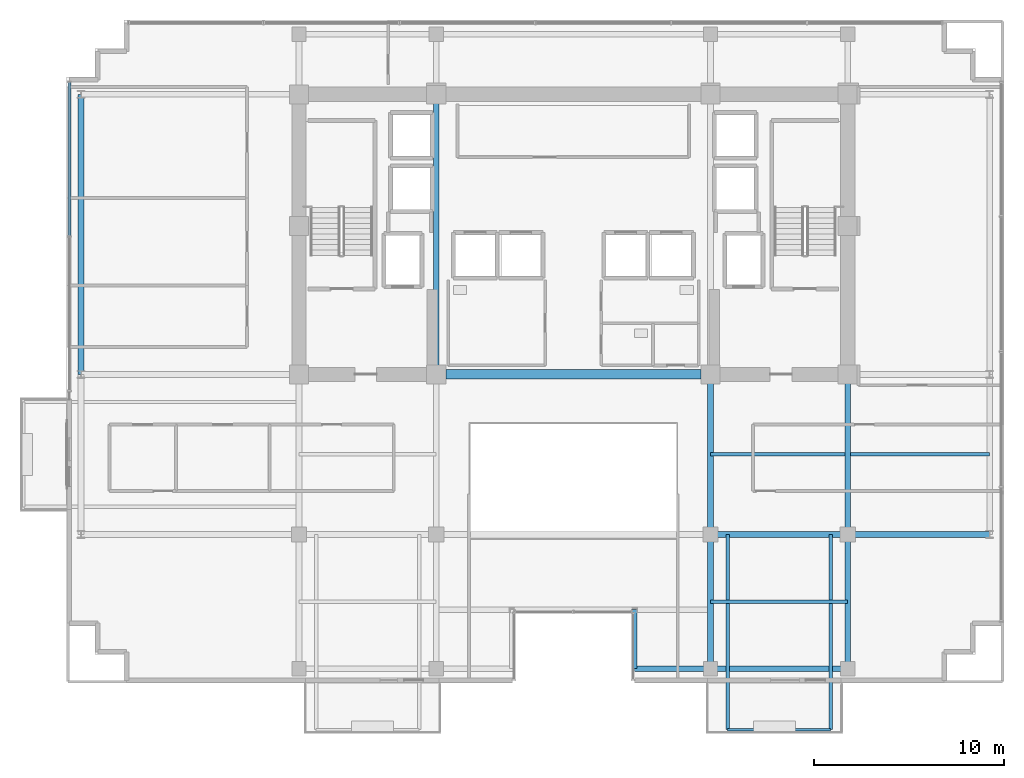
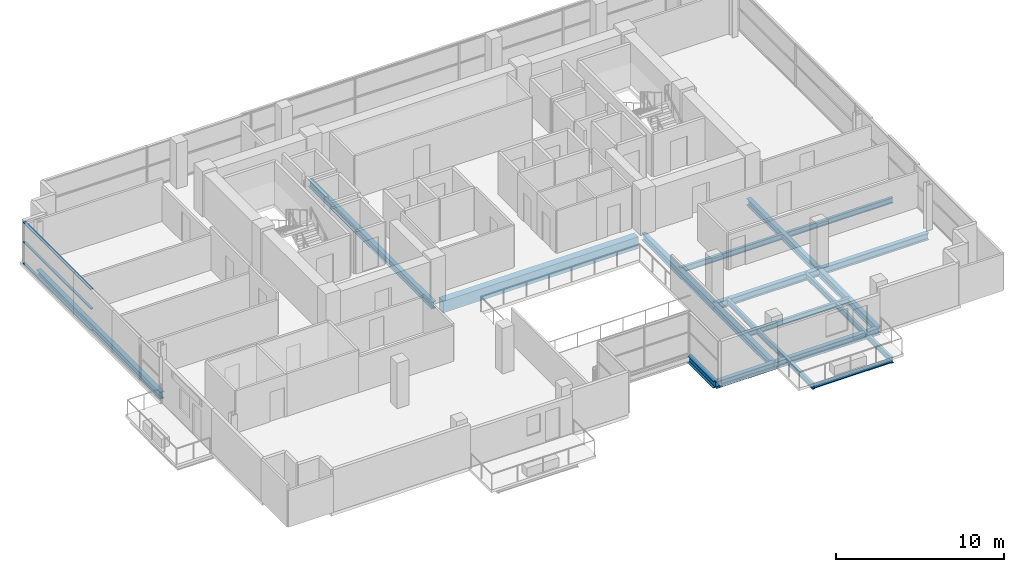
# One storey, part 5 of 21: 18 beams, 3 members, 1 element without a shape of its own.
"""IFC4 building model written with IfcOpenShell, lengths in metres."""

from ifc_helpers import new_model, si_unit, direction, frame, origin, origin_2d, place, context, subcontext, project, spatial, rectangle, hollow_rectangle, i_section, extrude, source, transform, mapped, material, layer, layer_set, material_profile, profile_set, type_object, element, aggregate, save


model = new_model("IFC4")

# Units and contexts
model_context = context("Model", 3, precision=1e-05, world=origin(), true_north=direction((0.0, 1.0)))
body_context = subcontext(model_context, "Body", "Model", "MODEL_VIEW")
ifc_project = project(units=[si_unit("LENGTHUNIT", "METRE"), si_unit("AREAUNIT", "SQUARE_METRE"), si_unit("VOLUMEUNIT", "CUBIC_METRE"), si_unit("PLANEANGLEUNIT", "RADIAN"), si_unit("MASSUNIT", "GRAM", prefix="KILO")], contexts=[model_context])

# Site, building, storey
site_placement = place(None, origin())
site = spatial("IfcSite", under=ifc_project, at=site_placement, CompositionType="ELEMENT")
building_placement = place(site_placement, origin())
building = spatial("IfcBuilding", under=site, at=building_placement, Name="Zarnakvel Exchange Tower", CompositionType="ELEMENT")
storey_placement = place(building_placement, frame((0.0, 0.0, 166.0)))
storey = spatial("IfcBuildingStorey", under=building, at=storey_placement, Name="L46", CompositionType="ELEMENT", Elevation=166.0)

# Beams
ifc_material_1 = material(Name="Steel S355", Category="steel")
ifc_material_profile_1 = material_profile(ifc_material_1, i_section(OverallWidth=0.179931640625, OverallDepth=0.39990234375, WebThickness=0.008544921875, FlangeThickness=0.013427734375, FilletRadius=0.02099609375, at=origin_2d()))
ifc_profile_set_1 = profile_set([ifc_material_profile_1], Name="Steel S355")
beam_type_1 = type_object("IfcBeamType", Name="B-06", PredefinedType="JOIST", material=ifc_profile_set_1)
beam_1_placement = place(storey_placement, frame((7.199951171875, -13.125, -0.425048828125), z_axis=(1.0, 0.0, 0.0), x_axis=(0.0, 1.0, 0.0)))
element("IfcBeam", 1, at=beam_1_placement, inside=storey, type_object=beam_type_1, Name="L46 Composite Floor Secondary Joist", PredefinedType="JOIST", context=body_context, shape_type="SweptSolid", body=[
    extrude(i_section(OverallWidth=0.179931640625, OverallDepth=0.39990234375, WebThickness=0.008544921875, FlangeThickness=0.013427734375, FilletRadius=0.02099609375, at=origin_2d()), origin(), (0.0, 0.0, 1.0), 7.199951171875),
])
beam_2_placement = place(storey_placement, frame((7.199951171875, -5.39990234375, -0.425048828125), z_axis=(1.0, 0.0, 0.0), x_axis=(0.0, 1.0, 0.0)))
element("IfcBeam", 2, at=beam_2_placement, inside=storey, type_object=beam_type_1, Name="L46 Composite Floor Secondary Joist", PredefinedType="JOIST", context=body_context, shape_type="SweptSolid", body=[
    extrude(i_section(OverallWidth=0.179931640625, OverallDepth=0.39990234375, WebThickness=0.008544921875, FlangeThickness=0.013427734375, FilletRadius=0.02099609375, at=origin_2d()), origin(), (0.0, 0.0, 1.0), 7.050048828125),
])
beam_3_placement = place(storey_placement, frame((14.550048828125, -5.39990234375, -0.425048828125), z_axis=(1.0, 0.0, 0.0), x_axis=(0.0, 1.0, 0.0)))
element("IfcBeam", 3, at=beam_3_placement, inside=storey, type_object=beam_type_1, Name="L46 Composite Floor Secondary Joist", PredefinedType="JOIST", context=body_context, shape_type="SweptSolid", body=[
    extrude(i_section(OverallWidth=0.179931640625, OverallDepth=0.39990234375, WebThickness=0.008544921875, FlangeThickness=0.013427734375, FilletRadius=0.02099609375, at=origin_2d()), origin(), (0.0, 0.0, 1.0), 7.300048828125),
])
for number, where, z_axis, x_axis, name in (
    (4, (8.10009765625, -9.60009765625, -0.425048828125), (0.0, -1.0, 0.0), (1.0, 0.0, 0.0), "L46 Continuous Back-Spanned Balcony Beam W"),
    (5, (13.5, -9.60009765625, -0.425048828125), (0.0, -1.0, 0.0), (1.0, 0.0, 0.0), "L46 Continuous Back-Spanned Balcony Beam E"),
):
    element("IfcBeam", number, at=place(storey_placement, frame(where, z_axis=z_axis, x_axis=x_axis)), inside=storey, type_object=beam_type_1, Name=name, PredefinedType="JOIST", context=body_context, shape_type="SweptSolid", body=[
        extrude(i_section(OverallWidth=0.179931640625, OverallDepth=0.39990234375, WebThickness=0.008544921875, FlangeThickness=0.013427734375, FilletRadius=0.02099609375, at=origin_2d()), origin(), (0.0, 0.0, 1.0), 10.25),
    ])
ifc_material_profile_2 = material_profile(ifc_material_1, i_section(OverallWidth=0.14990234375, OverallDepth=0.300048828125, WebThickness=0.007080078125, FlangeThickness=0.0107421875, FilletRadius=0.014892578125, at=origin_2d()))
ifc_profile_set_2 = profile_set([ifc_material_profile_2], Name="Steel S355")
beam_type_2 = type_object("IfcBeamType", Name="B-08", PredefinedType="JOIST", material=ifc_profile_set_2)
beam_4_placement = place(storey_placement, frame((8.10009765625, -19.85009765625, -0.375), z_axis=(1.0, 0.0, 0.0), x_axis=(0.0, 1.0, 0.0)))
element("IfcBeam", 6, at=beam_4_placement, inside=storey, type_object=beam_type_2, Name="L46 Balcony Edge Beam", PredefinedType="JOIST", context=body_context, shape_type="SweptSolid", body=[
    extrude(i_section(OverallWidth=0.14990234375, OverallDepth=0.300048828125, WebThickness=0.007080078125, FlangeThickness=0.0107421875, FilletRadius=0.014892578125, at=origin_2d()), origin(), (0.0, 0.0, 1.0), 5.39990234375),
])
ifc_material_2 = material(Name="Concrete C60/75", Category="concrete")
ifc_material_profile_3 = material_profile(ifc_material_2, rectangle(XDim=0.5, YDim=0.85009765625, at=origin_2d()))
ifc_profile_set_3 = profile_set([ifc_material_profile_3], Name="Concrete C60/75")
beam_type_3 = type_object("IfcBeamType", Name="CB-02", PredefinedType="LINTEL", material=ifc_profile_set_3)
beam_5_placement = place(storey_placement, frame((-6.699951171875, -1.199951171875, -0.64990234375), z_axis=(1.0, 0.0, 0.0), x_axis=(0.0, 1.0, 0.0)))
element("IfcBeam", 7, at=beam_5_placement, inside=storey, type_object=beam_type_3, Name="L46 Rear Core South Coupling Beam (CB-02)", PredefinedType="LINTEL", context=body_context, shape_type="SweptSolid", body=[
    extrude(rectangle(XDim=0.5, YDim=0.85009765625, at=origin_2d()), origin(), (0.0, 0.0, 1.0), 13.39990234375),
])
ifc_material_profile_4 = material_profile(ifc_material_1, i_section(OverallWidth=0.300048828125, OverallDepth=0.5, WebThickness=0.014404296875, FlangeThickness=0.028076171875, FilletRadius=0.027099609375, at=origin_2d()))
ifc_profile_set_4 = profile_set([ifc_material_profile_4], Name="Steel S355")
beam_type_4 = type_object("IfcBeamType", Name="G-06", PredefinedType="BEAM", material=ifc_profile_set_4)
beam_6_placement = place(storey_placement, frame((3.199951171875, -16.64990234375, -0.47509765625), z_axis=(0.0, 1.0, 0.0), x_axis=(-1.0, 0.0, 0.0)))
element("IfcBeam", 8, at=beam_6_placement, inside=storey, type_object=beam_type_4, Name="L46 South Slot East Cheek Beam", PredefinedType="BEAM", context=body_context, shape_type="SweptSolid", body=[
    extrude(i_section(OverallWidth=0.300048828125, OverallDepth=0.5, WebThickness=0.014404296875, FlangeThickness=0.028076171875, FilletRadius=0.027099609375, at=origin_2d()), origin(), (0.0, 0.0, 1.0), 3.099853515625),
])
beam_7_placement = place(storey_placement, frame((7.199951171875, -9.60009765625, -0.47509765625), z_axis=(1.0, 0.0, 0.0), x_axis=(0.0, 1.0, 0.0)))
element("IfcBeam", 9, at=beam_7_placement, inside=storey, type_object=beam_type_4, Name="L46 Tower E-W Frame Beam", PredefinedType="BEAM", context=body_context, shape_type="SweptSolid", body=[
    extrude(i_section(OverallWidth=0.300048828125, OverallDepth=0.5, WebThickness=0.014404296875, FlangeThickness=0.028076171875, FilletRadius=0.027099609375, at=origin_2d()), origin(), (0.0, 0.0, 1.0), 7.199951171875),
])
beam_8_placement = place(storey_placement, frame((14.39990234375, -9.60009765625, -0.47509765625), z_axis=(1.0, 0.0, 0.0), x_axis=(0.0, 1.0, 0.0)))
element("IfcBeam", 10, at=beam_8_placement, inside=storey, type_object=beam_type_4, Name="L46 Tower E-W Frame Beam", PredefinedType="BEAM", context=body_context, shape_type="SweptSolid", body=[
    extrude(i_section(OverallWidth=0.300048828125, OverallDepth=0.5, WebThickness=0.014404296875, FlangeThickness=0.028076171875, FilletRadius=0.027099609375, at=origin_2d()), origin(), (0.0, 0.0, 1.0), 7.4501953125),
])
beam_9_placement = place(storey_placement, frame((-7.199951171875, -1.199951171875, -0.47509765625), z_axis=(0.0, 1.0, 0.0), x_axis=(-1.0, 0.0, 0.0)))
element("IfcBeam", 11, at=beam_9_placement, inside=storey, type_object=beam_type_4, Name="L46 Tower N-S Frame Beam", PredefinedType="BEAM", context=body_context, shape_type="SweptSolid", body=[
    extrude(i_section(OverallWidth=0.300048828125, OverallDepth=0.5, WebThickness=0.014404296875, FlangeThickness=0.028076171875, FilletRadius=0.027099609375, at=origin_2d()), origin(), (0.0, 0.0, 1.0), 14.699951171875),
])
beam_10_placement = place(storey_placement, frame((7.199951171875, -16.64990234375, -0.47509765625), z_axis=(0.0, 1.0, 0.0), x_axis=(-1.0, 0.0, 0.0)))
element("IfcBeam", 12, at=beam_10_placement, inside=storey, type_object=beam_type_4, Name="L46 Tower N-S Frame Beam", PredefinedType="BEAM", context=body_context, shape_type="SweptSolid", body=[
    extrude(i_section(OverallWidth=0.300048828125, OverallDepth=0.5, WebThickness=0.014404296875, FlangeThickness=0.028076171875, FilletRadius=0.027099609375, at=origin_2d()), origin(), (0.0, 0.0, 1.0), 7.0498046875),
])
beam_11_placement = place(storey_placement, frame((7.199951171875, -9.60009765625, -0.47509765625), z_axis=(0.0, 1.0, 0.0), x_axis=(-1.0, 0.0, 0.0)))
element("IfcBeam", 13, at=beam_11_placement, inside=storey, type_object=beam_type_4, Name="L46 Tower N-S Frame Beam", PredefinedType="BEAM", context=body_context, shape_type="SweptSolid", body=[
    extrude(i_section(OverallWidth=0.300048828125, OverallDepth=0.5, WebThickness=0.014404296875, FlangeThickness=0.028076171875, FilletRadius=0.027099609375, at=origin_2d()), origin(), (0.0, 0.0, 1.0), 8.400146484375),
])
beam_12_placement = place(storey_placement, frame((14.39990234375, -16.64990234375, -0.47509765625), z_axis=(0.0, 1.0, 0.0), x_axis=(-1.0, 0.0, 0.0)))
element("IfcBeam", 14, at=beam_12_placement, inside=storey, type_object=beam_type_4, Name="L46 Tower N-S Frame Beam", PredefinedType="BEAM", context=body_context, shape_type="SweptSolid", body=[
    extrude(i_section(OverallWidth=0.300048828125, OverallDepth=0.5, WebThickness=0.014404296875, FlangeThickness=0.028076171875, FilletRadius=0.027099609375, at=origin_2d()), origin(), (0.0, 0.0, 1.0), 7.0498046875),
])
beam_13_placement = place(storey_placement, frame((14.39990234375, -9.60009765625, -0.47509765625), z_axis=(0.0, 1.0, 0.0), x_axis=(-1.0, 0.0, 0.0)))
element("IfcBeam", 15, at=beam_13_placement, inside=storey, type_object=beam_type_4, Name="L46 Tower N-S Frame Beam", PredefinedType="BEAM", context=body_context, shape_type="SweptSolid", body=[
    extrude(i_section(OverallWidth=0.300048828125, OverallDepth=0.5, WebThickness=0.014404296875, FlangeThickness=0.028076171875, FilletRadius=0.027099609375, at=origin_2d()), origin(), (0.0, 0.0, 1.0), 8.400146484375),
])
ifc_material_profile_5 = material_profile(ifc_material_1, i_section(OverallWidth=0.300048828125, OverallDepth=0.5, WebThickness=0.014404296875, FlangeThickness=0.028076171875, FilletRadius=0.027099609375, at=origin_2d()))
ifc_profile_set_5 = profile_set([ifc_material_profile_5], Name="Steel S355")
beam_type_5 = type_object("IfcBeamType", Name="SP-02", PredefinedType="SPANDREL", material=ifc_profile_set_5)
beam_14_placement = place(storey_placement, frame((3.199951171875, -16.64990234375, -0.47509765625), z_axis=(1.0, 0.0, 0.0), x_axis=(0.0, 1.0, 0.0)))
element("IfcBeam", 16, at=beam_14_placement, inside=storey, type_object=beam_type_5, Name="L46 South Slot East Jamb Spandrel", PredefinedType="SPANDREL", context=body_context, shape_type="SweptSolid", body=[
    extrude(i_section(OverallWidth=0.300048828125, OverallDepth=0.5, WebThickness=0.014404296875, FlangeThickness=0.028076171875, FilletRadius=0.027099609375, at=origin_2d()), origin(), (0.0, 0.0, 1.0), 4.0),
])
beam_15_placement = place(storey_placement, frame((7.199951171875, -16.64990234375, -0.47509765625), z_axis=(1.0, 0.0, 0.0), x_axis=(0.0, 1.0, 0.0)))
element("IfcBeam", 17, at=beam_15_placement, inside=storey, type_object=beam_type_5, Name="L46 Tower E-W Frame Beam", PredefinedType="SPANDREL", context=body_context, shape_type="SweptSolid", body=[
    extrude(i_section(OverallWidth=0.300048828125, OverallDepth=0.5, WebThickness=0.014404296875, FlangeThickness=0.028076171875, FilletRadius=0.027099609375, at=origin_2d()), origin(), (0.0, 0.0, 1.0), 7.199951171875),
])
beam_16_placement = place(storey_placement, frame((-25.85009765625, -1.199951171875, -0.47509765625), z_axis=(0.0, 1.0, 0.0), x_axis=(-1.0, 0.0, 0.0)))
element("IfcBeam", 18, at=beam_16_placement, inside=storey, type_object=beam_type_5, Name="L46 Tower N-S Frame Beam", PredefinedType="SPANDREL", context=body_context, shape_type="SweptSolid", body=[
    extrude(i_section(OverallWidth=0.300048828125, OverallDepth=0.5, WebThickness=0.014404296875, FlangeThickness=0.028076171875, FilletRadius=0.027099609375, at=origin_2d()), origin(), (0.0, 0.0, 1.0), 14.699951171875),
])

# Curtain wall, members
ifc_material_3 = material(Name="Architectural Bronze Anodised Aluminium", Category="aluminium")
ifc_layer = layer(ifc_material_3, 0.199951171875)
ifc_layer_set = layer_set([ifc_layer], Name="Architectural Bronze Anodised Aluminium")
curtain_wall_type = type_object("IfcCurtainWallType", Name="CW-04", PredefinedType="NOTDEFINED", material=ifc_layer_set)
curtain_wall_placement = place(storey_placement, origin())
curtain_wall = element("IfcCurtainWall", 19, at=curtain_wall_placement, inside=storey, type_object=curtain_wall_type, Name="L46 Curtain Wall CW-L46-WN (CW-04)", PredefinedType="NOTDEFINED")
ifc_material_profile_6 = material_profile(ifc_material_3, hollow_rectangle(XDim=0.159912109375, YDim=0.074951171875, WallThickness=0.00390625, at=origin_2d()))
ifc_profile_set_6 = profile_set([ifc_material_profile_6], Name="Architectural Bronze Anodised Aluminium")
member_type = type_object("IfcMemberType", Name="CWT-04", PredefinedType="USERDEFINED", material=ifc_profile_set_6)
shared_shape = source(origin(), body_context, "Body", "SweptSolid", [
    extrude(hollow_rectangle(XDim=0.159912109375, YDim=0.074951171875, WallThickness=0.00390625, at=origin_2d()), origin(), (0.0, 0.0, 1.0), 8.03759765625),
])
member_1_placement = place(storey_placement, frame((-26.4599609375, 6.08740234375, 0.03759765625), z_axis=(0.0, 1.0, 0.0), x_axis=(-1.0, 0.0, 0.0)))
member_1 = element("IfcMember", 20, at=member_1_placement, type_object=member_type, Name="CW-04 transom 2.1", ObjectType="TRANSOM", PredefinedType="USERDEFINED", context=body_context, shape_type="MappedRepresentation", body=[
    mapped(shared_shape, transform((0.0, 0.0, 0.0), x_axis=(1.0, 0.0, 0.0), y_axis=(0.0, 1.0, 0.0), z_axis=(0.0, 0.0, 1.0), scale=1.0)),
])
member_2_placement = place(storey_placement, frame((-26.4599609375, 6.08740234375, 1.588623046875), z_axis=(0.0, 1.0, 0.0), x_axis=(-1.0, 0.0, 0.0)))
member_2 = element("IfcMember", 21, at=member_2_placement, type_object=member_type, Name="CW-04 transom 2.2", ObjectType="TRANSOM", PredefinedType="USERDEFINED", context=body_context, shape_type="MappedRepresentation", body=[
    mapped(shared_shape, transform((0.0, 0.0, 0.0), x_axis=(1.0, 0.0, 0.0), y_axis=(0.0, 1.0, 0.0), z_axis=(0.0, 0.0, 1.0), scale=1.0)),
])
member_3_placement = place(storey_placement, frame((-26.4599609375, 6.08740234375, 3.017578125), z_axis=(0.0, 1.0, 0.0), x_axis=(-1.0, 0.0, 0.0)))
member_3 = element("IfcMember", 22, at=member_3_placement, type_object=member_type, Name="CW-04 transom 2.3", ObjectType="TRANSOM", PredefinedType="USERDEFINED", context=body_context, shape_type="MappedRepresentation", body=[
    mapped(shared_shape, transform((0.0, 0.0, 0.0), x_axis=(1.0, 0.0, 0.0), y_axis=(0.0, 1.0, 0.0), z_axis=(0.0, 0.0, 1.0), scale=1.0)),
])
aggregate(curtain_wall, [member_1, member_2, member_3])

save(model, "model.ifc")
